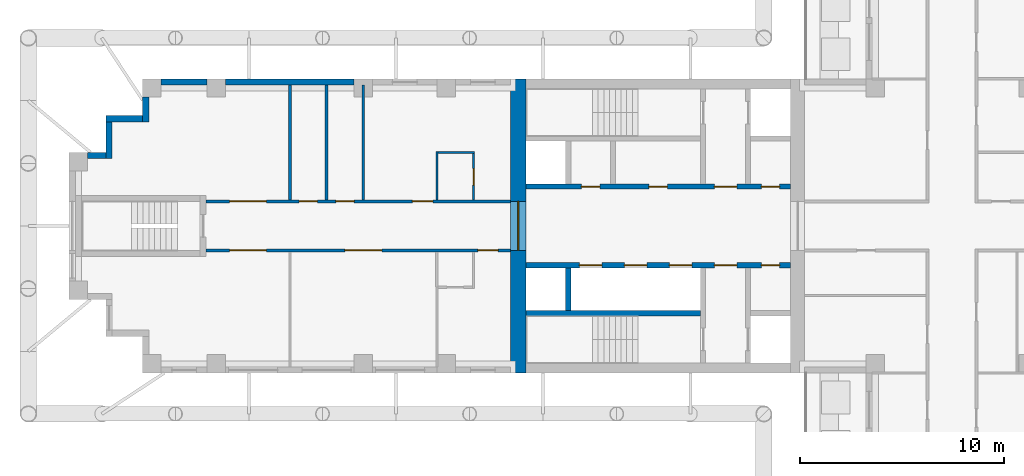
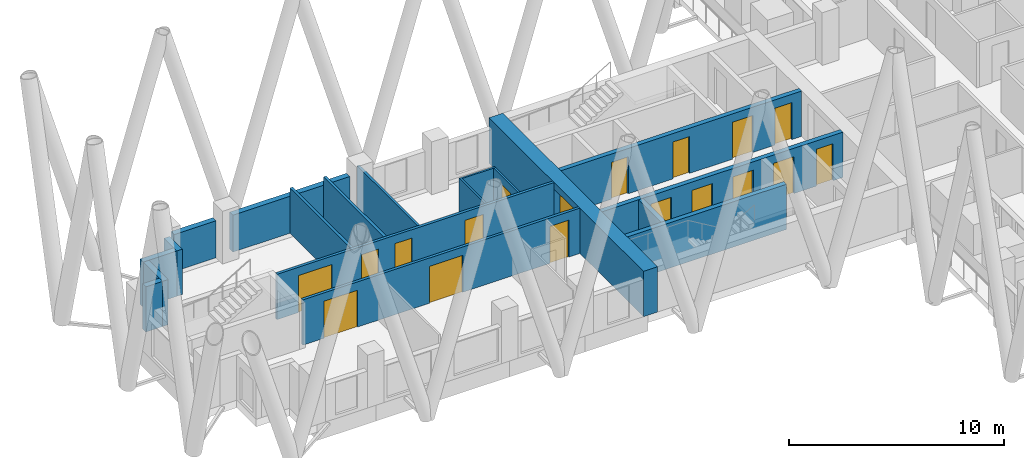
# One storey, part 6 of 14: 19 walls, 18 doors, 18 openings.
"""IFC4 building model written with IfcOpenShell, lengths in metres."""

from ifc_helpers import new_model, si_unit, direction, frame, frame_2d, origin, place, context, subcontext, project, spatial, rectangle, extrude, material, layer, layer_set, type_object, element, fill, save


model = new_model("IFC4")

# Units and contexts
model_context = context("Model", 3, precision=1e-05, world=origin(), true_north=direction((0.0, 1.0)))
body_context = subcontext(model_context, "Body", "Model", "MODEL_VIEW")
ifc_project = project(units=[si_unit("LENGTHUNIT", "METRE"), si_unit("AREAUNIT", "SQUARE_METRE"), si_unit("VOLUMEUNIT", "CUBIC_METRE"), si_unit("PLANEANGLEUNIT", "RADIAN"), si_unit("MASSUNIT", "GRAM", prefix="KILO")], contexts=[model_context])

# Site, building, storey
site_placement = place(None, origin())
site = spatial("IfcSite", under=ifc_project, at=site_placement, CompositionType="ELEMENT")
building_placement = place(site_placement, origin())
building = spatial("IfcBuilding", under=site, at=building_placement, Name="Fustian Cross Tower", CompositionType="ELEMENT")
storey_placement = place(building_placement, frame((0.0, 0.0, 90.89990234375)))
storey = spatial("IfcBuildingStorey", under=building, at=storey_placement, Name="L28", CompositionType="ELEMENT", Elevation=90.89990234375)

# Wall, openings, doors
ifc_material_1 = material(Name="Plasterboard on steel stud", Category="steel")
ifc_layer_1 = layer(ifc_material_1, 0.14990234375)
ifc_layer_set_1 = layer_set([ifc_layer_1], Name="Plasterboard on steel stud")
wall_type_1 = type_object("IfcWallType", Name="COMPARTMENT WALL 150 EI 60", PredefinedType="PARTITIONING", material=ifc_layer_set_1)
wall_1_placement = place(storey_placement, frame((-36.5, -1.199951171875, 0.0), z_axis=(0.0, 0.0, 1.0), x_axis=(1.0, 0.0, 0.0)))
wall_1 = element("IfcWall", 1, at=wall_1_placement, inside=storey, type_object=wall_type_1, Name="Partition 1", PredefinedType="PARTITIONING", context=body_context, shape_type="SweptSolid", body=[
    extrude(rectangle(XDim=14.89990234375, YDim=0.14990234375, at=frame_2d((7.449951171875, 0.0))), origin(), (0.0, 0.0, 1.0), 2.5751953125),
])
opening_1_placement = place(wall_1_placement, frame((13.300048828125, 0.0, 0.0)))
opening_1 = element("IfcOpeningElement", 2, at=opening_1_placement, cuts=wall_1, Name="Opening D13024", PredefinedType="OPENING", context=body_context, shape_type="SweptSolid", body=[
    extrude(rectangle(XDim=1.0, YDim=2.10009765625, at=frame_2d((0.5, 1.050048828125))), frame((0.0, 0.0849609375, 0.0), z_axis=(0.0, -1.0, 0.0), x_axis=(1.0, 0.0, 0.0)), (0.0, 0.0, 1.0), 0.169921875),
])
opening_2_placement = place(wall_1_placement, frame((6.800048828125, 0.0, 0.0)))
opening_2 = element("IfcOpeningElement", 3, at=opening_2_placement, cuts=wall_1, Name="Opening D13025", PredefinedType="OPENING", context=body_context, shape_type="SweptSolid", body=[
    extrude(rectangle(XDim=1.800048828125, YDim=2.10009765625, at=frame_2d((0.89990234375, 1.050048828125))), frame((0.0, 0.0849609375, 0.0), z_axis=(0.0, -1.0, 0.0), x_axis=(1.0, 0.0, 0.0)), (0.0, 0.0, 1.0), 0.169921875),
])
opening_3_placement = place(wall_1_placement, frame((1.14990234375, 0.0, 0.0)))
opening_3 = element("IfcOpeningElement", 4, at=opening_3_placement, cuts=wall_1, Name="Opening D13026", PredefinedType="OPENING", context=body_context, shape_type="SweptSolid", body=[
    extrude(rectangle(XDim=1.800048828125, YDim=2.10009765625, at=frame_2d((0.89990234375, 1.050048828125))), frame((0.0, 0.0849609375, 0.0), z_axis=(0.0, -1.0, 0.0), x_axis=(1.0, 0.0, 0.0)), (0.0, 0.0, 1.0), 0.169921875),
])
ifc_material_2 = material(Name="Timber fire door set", Category="wood")
door_type_1 = type_object("IfcDoorType", Name="FIRE DOUBLE DOOR 1800 FD30S", OperationType="DOUBLE_DOOR_DOUBLE_SWING", PredefinedType="DOOR", material=ifc_material_2)
door_1_placement = place(opening_2_placement, origin())
door_1 = element("IfcDoor", 5, at=door_1_placement, inside=storey, type_object=door_type_1, Name="Door D13025", OperationType="DOUBLE_DOOR_DOUBLE_SWING", OverallHeight=2.10009765625, OverallWidth=1.800048828125, PredefinedType="DOOR", context=body_context, shape_type="SweptSolid", body=[
    extrude(rectangle(XDim=1.800048828125, YDim=2.10009765625, at=frame_2d((0.89990234375, 1.050048828125))), frame((0.0, 0.02490234375, 0.0), z_axis=(0.0, -1.0, 0.0), x_axis=(1.0, 0.0, 0.0)), (0.0, 0.0, 1.0), 0.050048828125),
])
fill(opening_2, door_1)
door_2_placement = place(opening_3_placement, origin())
door_2 = element("IfcDoor", 6, at=door_2_placement, inside=storey, type_object=door_type_1, Name="Door D13026", OperationType="DOUBLE_DOOR_DOUBLE_SWING", OverallHeight=2.10009765625, OverallWidth=1.800048828125, PredefinedType="DOOR", context=body_context, shape_type="SweptSolid", body=[
    extrude(rectangle(XDim=1.800048828125, YDim=2.10009765625, at=frame_2d((0.89990234375, 1.050048828125))), frame((0.0, 0.02490234375, 0.0), z_axis=(0.0, -1.0, 0.0), x_axis=(1.0, 0.0, 0.0)), (0.0, 0.0, 1.0), 0.050048828125),
])
fill(opening_3, door_2)
ifc_material_3 = material(Name="Timber fire door set", Category="wood")
door_type_2 = type_object("IfcDoorType", Name="FIRE SWING DOOR 1000 FD30S", OperationType="SINGLE_SWING_LEFT", PredefinedType="DOOR", material=ifc_material_3)
door_3_placement = place(opening_1_placement, frame((1.0, 0.0, 0.0), z_axis=(0.0, 0.0, 1.0), x_axis=(-1.0, 0.0, 0.0)))
door_3 = element("IfcDoor", 7, at=door_3_placement, inside=storey, type_object=door_type_2, Name="Door D13024", OperationType="SINGLE_SWING_RIGHT", OverallHeight=2.10009765625, OverallWidth=1.0, PredefinedType="DOOR", context=body_context, shape_type="SweptSolid", body=[
    extrude(rectangle(XDim=1.0, YDim=2.10009765625, at=frame_2d((0.5, 1.050048828125))), frame((0.0, 0.02490234375, 0.0), z_axis=(0.0, -1.0, 0.0), x_axis=(1.0, 0.0, 0.0)), (0.0, 0.0, 1.0), 0.050048828125),
])
fill(opening_1, door_3)

wall_2_placement = place(storey_placement, frame((-36.5, 1.199951171875, 0.0), z_axis=(0.0, 0.0, 1.0), x_axis=(1.0, 0.0, 0.0)))
wall_2 = element("IfcWall", 8, at=wall_2_placement, inside=storey, type_object=wall_type_1, Name="Partition 2", PredefinedType="PARTITIONING", context=body_context, shape_type="SweptSolid", body=[
    extrude(rectangle(XDim=14.89990234375, YDim=0.14990234375, at=frame_2d((7.449951171875, 0.0))), origin(), (0.0, 0.0, 1.0), 2.5751953125),
])
opening_4_placement = place(wall_2_placement, frame((10.10009765625, 0.0, 0.0)))
opening_4 = element("IfcOpeningElement", 9, at=opening_4_placement, cuts=wall_2, Name="Opening D13028", PredefinedType="OPENING", context=body_context, shape_type="SweptSolid", body=[
    extrude(rectangle(XDim=1.0, YDim=2.10009765625, at=frame_2d((0.5, 1.050048828125))), frame((0.0, 0.0849609375, 0.0), z_axis=(0.0, -1.0, 0.0), x_axis=(1.0, 0.0, 0.0)), (0.0, 0.0, 1.0), 0.169921875),
])
opening_5_placement = place(wall_2_placement, frame((6.35009765625, 0.0, 0.0)))
opening_5 = element("IfcOpeningElement", 10, at=opening_5_placement, cuts=wall_2, Name="Opening D13029", PredefinedType="OPENING", context=body_context, shape_type="SweptSolid", body=[
    extrude(rectangle(XDim=0.89990234375, YDim=2.10009765625, at=frame_2d((0.449951171875, 1.050048828125))), frame((0.0, 0.0849609375, 0.0), z_axis=(0.0, -1.0, 0.0), x_axis=(1.0, 0.0, 0.0)), (0.0, 0.0, 1.0), 0.169921875),
])
opening_6_placement = place(wall_2_placement, frame((4.550048828125, 0.0, 0.0)))
opening_6 = element("IfcOpeningElement", 11, at=opening_6_placement, cuts=wall_2, Name="Opening D13030", PredefinedType="OPENING", context=body_context, shape_type="SweptSolid", body=[
    extrude(rectangle(XDim=0.89990234375, YDim=2.10009765625, at=frame_2d((0.449951171875, 1.050048828125))), frame((0.0, 0.0849609375, 0.0), z_axis=(0.0, -1.0, 0.0), x_axis=(1.0, 0.0, 0.0)), (0.0, 0.0, 1.0), 0.169921875),
])
opening_7_placement = place(wall_2_placement, frame((1.14990234375, 0.0, 0.0)))
opening_7 = element("IfcOpeningElement", 12, at=opening_7_placement, cuts=wall_2, Name="Opening D13031", PredefinedType="OPENING", context=body_context, shape_type="SweptSolid", body=[
    extrude(rectangle(XDim=1.800048828125, YDim=2.10009765625, at=frame_2d((0.89990234375, 1.050048828125))), frame((0.0, 0.0849609375, 0.0), z_axis=(0.0, -1.0, 0.0), x_axis=(1.0, 0.0, 0.0)), (0.0, 0.0, 1.0), 0.169921875),
])
door_4_placement = place(opening_7_placement, frame((1.800048828125, 0.0, 0.0), z_axis=(0.0, 0.0, 1.0), x_axis=(-1.0, 0.0, 0.0)))
door_4 = element("IfcDoor", 13, at=door_4_placement, inside=storey, type_object=door_type_1, Name="Door D13031", OperationType="DOUBLE_DOOR_DOUBLE_SWING", OverallHeight=2.10009765625, OverallWidth=1.800048828125, PredefinedType="DOOR", context=body_context, shape_type="SweptSolid", body=[
    extrude(rectangle(XDim=1.800048828125, YDim=2.10009765625, at=frame_2d((0.89990234375, 1.050048828125))), frame((0.0, 0.02490234375, 0.0), z_axis=(0.0, -1.0, 0.0), x_axis=(1.0, 0.0, 0.0)), (0.0, 0.0, 1.0), 0.050048828125),
])
fill(opening_7, door_4)
door_5_placement = place(opening_4_placement, origin())
door_5 = element("IfcDoor", 14, at=door_5_placement, inside=storey, type_object=door_type_2, Name="Door D13028", OperationType="SINGLE_SWING_RIGHT", OverallHeight=2.10009765625, OverallWidth=1.0, PredefinedType="DOOR", context=body_context, shape_type="SweptSolid", body=[
    extrude(rectangle(XDim=1.0, YDim=2.10009765625, at=frame_2d((0.5, 1.050048828125))), frame((0.0, 0.02490234375, 0.0), z_axis=(0.0, -1.0, 0.0), x_axis=(1.0, 0.0, 0.0)), (0.0, 0.0, 1.0), 0.050048828125),
])
fill(opening_4, door_5)
ifc_material_4 = material(Name="Timber fire door set", Category="wood")
door_type_3 = type_object("IfcDoorType", Name="FIRE SWING DOOR 900 FD30S", OperationType="SINGLE_SWING_LEFT", PredefinedType="DOOR", material=ifc_material_4)
door_6_placement = place(opening_5_placement, origin())
door_6 = element("IfcDoor", 15, at=door_6_placement, inside=storey, type_object=door_type_3, Name="Door D13029", OperationType="SINGLE_SWING_RIGHT", OverallHeight=2.10009765625, OverallWidth=0.89990234375, PredefinedType="DOOR", context=body_context, shape_type="SweptSolid", body=[
    extrude(rectangle(XDim=0.89990234375, YDim=2.10009765625, at=frame_2d((0.449951171875, 1.050048828125))), frame((0.0, 0.02490234375, 0.0), z_axis=(0.0, -1.0, 0.0), x_axis=(1.0, 0.0, 0.0)), (0.0, 0.0, 1.0), 0.050048828125),
])
fill(opening_5, door_6)
door_7_placement = place(opening_6_placement, origin())
door_7 = element("IfcDoor", 16, at=door_7_placement, inside=storey, type_object=door_type_3, Name="Door D13030", OperationType="SINGLE_SWING_RIGHT", OverallHeight=2.10009765625, OverallWidth=0.89990234375, PredefinedType="DOOR", context=body_context, shape_type="SweptSolid", body=[
    extrude(rectangle(XDim=0.89990234375, YDim=2.10009765625, at=frame_2d((0.449951171875, 1.050048828125))), frame((0.0, 0.02490234375, 0.0), z_axis=(0.0, -1.0, 0.0), x_axis=(1.0, 0.0, 0.0)), (0.0, 0.0, 1.0), 0.050048828125),
])
fill(opening_6, door_7)

# Walls
for number, where, z_axis, x_axis, name in (
    (17, (-32.39990234375, 1.27490234375, 0.0), (0.0, 0.0, 1.0), (0.0, 1.0, 0.0), "Partition 4"),
    (18, (-30.60009765625, 1.27490234375, 0.0), (0.0, 0.0, 1.0), (0.0, 1.0, 0.0), "Partition 5"),
):
    element("IfcWall", number, at=place(storey_placement, frame(where, z_axis=z_axis, x_axis=x_axis)), inside=storey, type_object=wall_type_1, Name=name, PredefinedType="PARTITIONING", context=body_context, shape_type="SweptSolid", body=[
        extrude(rectangle(XDim=5.625, YDim=0.14990234375, at=frame_2d((2.8125, 0.0))), origin(), (0.0, 0.0, 1.0), 2.5751953125),
    ])

# Wall, opening, door
ifc_material_5 = material(Name="Concrete C70/85", Category="concrete")
ifc_layer_2 = layer(ifc_material_5, 0.75)
ifc_layer_set_2 = layer_set([ifc_layer_2], Name="Concrete C70/85")
wall_type_2 = type_object("IfcWallType", Name="CORE END WALL 750 C70/85", PredefinedType="SHEAR", material=ifc_layer_set_2)
wall_3_placement = place(storey_placement, frame((-21.22509765625, -7.199951171875, 0.0), z_axis=(0.0, 0.0, 1.0), x_axis=(0.0, 1.0, 0.0)))
wall_3 = element("IfcWall", 19, at=wall_3_placement, inside=storey, type_object=wall_type_2, Name="Core end wall", PredefinedType="SHEAR", context=body_context, shape_type="SweptSolid", body=[
    extrude(rectangle(XDim=14.39990234375, YDim=0.75, at=frame_2d((7.199951171875, 0.0))), origin(), (0.0, 0.0, 1.0), 2.5751953125),
])
opening_8_placement = place(wall_3_placement, frame((6.0, 0.0, 0.0)))
opening_8 = element("IfcOpeningElement", 20, at=opening_8_placement, cuts=wall_3, Name="Opening CD-11-28", PredefinedType="OPENING", context=body_context, shape_type="SweptSolid", body=[
    extrude(rectangle(XDim=2.39990234375, YDim=2.199951171875, at=frame_2d((1.199951171875, 1.10009765625))), frame((0.0, 0.385009765625, 0.0), z_axis=(0.0, -1.0, 0.0), x_axis=(1.0, 0.0, 0.0)), (0.0, 0.0, 1.0), 0.77001953125),
])
ifc_material_6 = material(Name="Steel", Category="steel")
door_type_4 = type_object("IfcDoorType", Name="FIRE DOOR FD30S DOUBLE 2400X2200", OperationType="DOUBLE_DOOR_DOUBLE_SWING", PredefinedType="DOOR", material=ifc_material_6)
door_8_placement = place(opening_8_placement, frame((2.39990234375, 0.0, 0.0), z_axis=(0.0, 0.0, 1.0), x_axis=(-1.0, 0.0, 0.0)))
door_8 = element("IfcDoor", 21, at=door_8_placement, inside=storey, type_object=door_type_4, Name="Core door CD-11-28", OperationType="DOUBLE_DOOR_DOUBLE_SWING", OverallHeight=2.199951171875, OverallWidth=2.39990234375, PredefinedType="DOOR", context=body_context, shape_type="SweptSolid", body=[
    extrude(rectangle(XDim=2.39990234375, YDim=2.199951171875, at=frame_2d((1.199951171875, 1.10009765625))), frame((0.0, 0.02490234375, 0.0), z_axis=(0.0, -1.0, 0.0), x_axis=(1.0, 0.0, 0.0)), (0.0, 0.0, 1.0), 0.050048828125),
])
fill(opening_8, door_8)

# Wall, openings, doors
ifc_material_7 = material(Name="Concrete C50/60", Category="concrete")
ifc_layer_3 = layer(ifc_material_7, 0.25)
ifc_layer_set_3 = layer_set([ifc_layer_3], Name="Concrete C50/60")
wall_type_3 = type_object("IfcWallType", Name="CORE LOBBY WALL 250 C50/60", PredefinedType="SHEAR", material=ifc_layer_set_3)
wall_4_placement = place(storey_placement, frame((-7.89990234375, 1.925048828125, 0.0), z_axis=(0.0, 0.0, 1.0), x_axis=(-1.0, 0.0, 0.0)))
wall_4 = element("IfcWall", 22, at=wall_4_placement, inside=storey, type_object=wall_type_3, Name="Core lobby wall", PredefinedType="SHEAR", context=body_context, shape_type="SweptSolid", body=[
    extrude(rectangle(XDim=12.9501953125, YDim=0.25, at=frame_2d((6.47509765625, 0.0))), origin(), (0.0, 0.0, 1.0), 2.5751953125),
])
opening_9_placement = place(wall_4_placement, frame((0.52490234375, 0.0, 0.0)))
opening_9 = element("IfcOpeningElement", 23, at=opening_9_placement, cuts=wall_4, Name="Opening CD-11-23", PredefinedType="OPENING", context=body_context, shape_type="SweptSolid", body=[
    extrude(rectangle(XDim=0.89990234375, YDim=2.10009765625, at=frame_2d((0.449951171875, 1.050048828125))), frame((0.0, 0.135009765625, 0.0), z_axis=(0.0, -1.0, 0.0), x_axis=(1.0, 0.0, 0.0)), (0.0, 0.0, 1.0), 0.27001953125),
])
opening_10_placement = place(wall_4_placement, frame((2.625, 0.0, 0.0)))
opening_10 = element("IfcOpeningElement", 24, at=opening_10_placement, cuts=wall_4, Name="Opening CD-11-25", PredefinedType="OPENING", context=body_context, shape_type="SweptSolid", body=[
    extrude(rectangle(XDim=1.10009765625, YDim=2.10009765625, at=frame_2d((0.550048828125, 1.050048828125))), frame((0.0, 0.135009765625, 0.0), z_axis=(0.0, -1.0, 0.0), x_axis=(1.0, 0.0, 0.0)), (0.0, 0.0, 1.0), 0.27001953125),
])
opening_11_placement = place(wall_4_placement, frame((6.02490234375, 0.0, 0.0)))
opening_11 = element("IfcOpeningElement", 25, at=opening_11_placement, cuts=wall_4, Name="Opening CD-11-29", PredefinedType="OPENING", context=body_context, shape_type="SweptSolid", body=[
    extrude(rectangle(XDim=0.89990234375, YDim=2.10009765625, at=frame_2d((0.449951171875, 1.050048828125))), frame((0.0, 0.135009765625, 0.0), z_axis=(0.0, -1.0, 0.0), x_axis=(1.0, 0.0, 0.0)), (0.0, 0.0, 1.0), 0.27001953125),
])
opening_12_placement = place(wall_4_placement, frame((9.324951171875, 0.0, 0.0)))
opening_12 = element("IfcOpeningElement", 26, at=opening_12_placement, cuts=wall_4, Name="Opening CD-11-30", PredefinedType="OPENING", context=body_context, shape_type="SweptSolid", body=[
    extrude(rectangle(XDim=0.89990234375, YDim=2.10009765625, at=frame_2d((0.449951171875, 1.050048828125))), frame((0.0, 0.135009765625, 0.0), z_axis=(0.0, -1.0, 0.0), x_axis=(1.0, 0.0, 0.0)), (0.0, 0.0, 1.0), 0.27001953125),
])
ifc_material_8 = material(Name="Steel", Category="steel")
door_type_5 = type_object("IfcDoorType", Name="FIRE DOOR FD30S 900X2100", OperationType="SINGLE_SWING_LEFT", PredefinedType="DOOR", material=ifc_material_8)
door_9_placement = place(opening_11_placement, frame((0.89990234375, 0.0, 0.0), z_axis=(0.0, 0.0, 1.0), x_axis=(-1.0, 0.0, 0.0)))
door_9 = element("IfcDoor", 27, at=door_9_placement, inside=storey, type_object=door_type_5, Name="Core door CD-11-29", OperationType="SINGLE_SWING_LEFT", OverallHeight=2.10009765625, OverallWidth=0.89990234375, PredefinedType="DOOR", context=body_context, shape_type="SweptSolid", body=[
    extrude(rectangle(XDim=0.89990234375, YDim=2.10009765625, at=frame_2d((0.449951171875, 1.050048828125))), frame((0.0, 0.02490234375, 0.0), z_axis=(0.0, -1.0, 0.0), x_axis=(1.0, 0.0, 0.0)), (0.0, 0.0, 1.0), 0.050048828125),
])
fill(opening_11, door_9)
door_10_placement = place(opening_12_placement, frame((0.89990234375, 0.0, 0.0), z_axis=(0.0, 0.0, 1.0), x_axis=(-1.0, 0.0, 0.0)))
door_10 = element("IfcDoor", 28, at=door_10_placement, inside=storey, type_object=door_type_5, Name="Core door CD-11-30", OperationType="SINGLE_SWING_RIGHT", OverallHeight=2.10009765625, OverallWidth=0.89990234375, PredefinedType="DOOR", context=body_context, shape_type="SweptSolid", body=[
    extrude(rectangle(XDim=0.89990234375, YDim=2.10009765625, at=frame_2d((0.449951171875, 1.050048828125))), frame((0.0, 0.02490234375, 0.0), z_axis=(0.0, -1.0, 0.0), x_axis=(1.0, 0.0, 0.0)), (0.0, 0.0, 1.0), 0.050048828125),
])
fill(opening_12, door_10)
ifc_material_9 = material(Name="Steel", Category="steel")
door_type_6 = type_object("IfcDoorType", Name="FIRE DOOR FD60S 1100X2100", OperationType="SINGLE_SWING_LEFT", PredefinedType="DOOR", material=ifc_material_9)
door_11_placement = place(opening_10_placement, frame((1.10009765625, 0.0, 0.0), z_axis=(0.0, 0.0, 1.0), x_axis=(-1.0, 0.0, 0.0)))
door_11 = element("IfcDoor", 29, at=door_11_placement, inside=storey, type_object=door_type_6, Name="Core door CD-11-25", OperationType="SINGLE_SWING_RIGHT", OverallHeight=2.10009765625, OverallWidth=1.10009765625, PredefinedType="DOOR", context=body_context, shape_type="SweptSolid", body=[
    extrude(rectangle(XDim=1.10009765625, YDim=2.10009765625, at=frame_2d((0.550048828125, 1.050048828125))), frame((0.0, 0.02490234375, 0.0), z_axis=(0.0, -1.0, 0.0), x_axis=(1.0, 0.0, 0.0)), (0.0, 0.0, 1.0), 0.050048828125),
])
fill(opening_10, door_11)
ifc_material_10 = material(Name="Steel", Category="steel")
door_type_7 = type_object("IfcDoorType", Name="FIRE DOOR FD60S 900X2100", OperationType="SINGLE_SWING_LEFT", PredefinedType="DOOR", material=ifc_material_10)
door_12_placement = place(opening_9_placement, frame((0.89990234375, 0.0, 0.0), z_axis=(0.0, 0.0, 1.0), x_axis=(-1.0, 0.0, 0.0)))
door_12 = element("IfcDoor", 30, at=door_12_placement, inside=storey, type_object=door_type_7, Name="Core door CD-11-23", OperationType="SINGLE_SWING_RIGHT", OverallHeight=2.10009765625, OverallWidth=0.89990234375, PredefinedType="DOOR", context=body_context, shape_type="SweptSolid", body=[
    extrude(rectangle(XDim=0.89990234375, YDim=2.10009765625, at=frame_2d((0.449951171875, 1.050048828125))), frame((0.0, 0.02490234375, 0.0), z_axis=(0.0, -1.0, 0.0), x_axis=(1.0, 0.0, 0.0)), (0.0, 0.0, 1.0), 0.050048828125),
])
fill(opening_9, door_12)

wall_5_placement = place(storey_placement, frame((-7.89990234375, -1.925048828125, 0.0), z_axis=(0.0, 0.0, 1.0), x_axis=(-1.0, 0.0, 0.0)))
wall_5 = element("IfcWall", 31, at=wall_5_placement, inside=storey, type_object=wall_type_3, Name="Core lobby wall", PredefinedType="SHEAR", context=body_context, shape_type="SweptSolid", body=[
    extrude(rectangle(XDim=12.9501953125, YDim=0.25, at=frame_2d((6.47509765625, 0.0))), origin(), (0.0, 0.0, 1.0), 2.5751953125),
])
opening_13_placement = place(wall_5_placement, frame((4.824951171875, 0.0, 0.0)))
opening_13 = element("IfcOpeningElement", 32, at=opening_13_placement, cuts=wall_5, Name="Opening LD", PredefinedType="OPENING", context=body_context, shape_type="SweptSolid", body=[
    extrude(rectangle(XDim=1.10009765625, YDim=2.10009765625, at=frame_2d((0.550048828125, 1.050048828125))), frame((0.0, 0.135009765625, 0.0), z_axis=(0.0, -1.0, 0.0), x_axis=(1.0, 0.0, 0.0)), (0.0, 0.0, 1.0), 0.27001953125),
])
opening_14_placement = place(wall_5_placement, frame((7.02490234375, 0.0, 0.0)))
opening_14 = element("IfcOpeningElement", 33, at=opening_14_placement, cuts=wall_5, Name="Opening LD", PredefinedType="OPENING", context=body_context, shape_type="SweptSolid", body=[
    extrude(rectangle(XDim=1.10009765625, YDim=2.10009765625, at=frame_2d((0.550048828125, 1.050048828125))), frame((0.0, 0.135009765625, 0.0), z_axis=(0.0, -1.0, 0.0), x_axis=(1.0, 0.0, 0.0)), (0.0, 0.0, 1.0), 0.27001953125),
])
opening_15_placement = place(wall_5_placement, frame((9.22509765625, 0.0, 0.0)))
opening_15 = element("IfcOpeningElement", 34, at=opening_15_placement, cuts=wall_5, Name="Opening LD", PredefinedType="OPENING", context=body_context, shape_type="SweptSolid", body=[
    extrude(rectangle(XDim=1.10009765625, YDim=2.10009765625, at=frame_2d((0.550048828125, 1.050048828125))), frame((0.0, 0.135009765625, 0.0), z_axis=(0.0, -1.0, 0.0), x_axis=(1.0, 0.0, 0.0)), (0.0, 0.0, 1.0), 0.27001953125),
])
opening_16_placement = place(wall_5_placement, frame((0.52490234375, 0.0, 0.0)))
opening_16 = element("IfcOpeningElement", 35, at=opening_16_placement, cuts=wall_5, Name="Opening CD-11-24", PredefinedType="OPENING", context=body_context, shape_type="SweptSolid", body=[
    extrude(rectangle(XDim=0.89990234375, YDim=2.10009765625, at=frame_2d((0.449951171875, 1.050048828125))), frame((0.0, 0.135009765625, 0.0), z_axis=(0.0, -1.0, 0.0), x_axis=(1.0, 0.0, 0.0)), (0.0, 0.0, 1.0), 0.27001953125),
])
opening_17_placement = place(wall_5_placement, frame((2.625, 0.0, 0.0)))
opening_17 = element("IfcOpeningElement", 36, at=opening_17_placement, cuts=wall_5, Name="Opening CD-11-26", PredefinedType="OPENING", context=body_context, shape_type="SweptSolid", body=[
    extrude(rectangle(XDim=1.10009765625, YDim=2.10009765625, at=frame_2d((0.550048828125, 1.050048828125))), frame((0.0, 0.135009765625, 0.0), z_axis=(0.0, -1.0, 0.0), x_axis=(1.0, 0.0, 0.0)), (0.0, 0.0, 1.0), 0.27001953125),
])
ifc_material_11 = material(Name="Steel", Category="steel")
door_type_8 = type_object("IfcDoorType", Name="FIRE DOOR FD30S 1100X2100", OperationType="SINGLE_SWING_LEFT", PredefinedType="DOOR", material=ifc_material_11)
door_13_placement = place(opening_17_placement, frame((1.10009765625, 0.0, 0.0), z_axis=(0.0, 0.0, 1.0), x_axis=(-1.0, 0.0, 0.0)))
door_13 = element("IfcDoor", 37, at=door_13_placement, inside=storey, type_object=door_type_8, Name="Core door CD-11-26", OperationType="SINGLE_SWING_RIGHT", OverallHeight=2.10009765625, OverallWidth=1.10009765625, PredefinedType="DOOR", context=body_context, shape_type="SweptSolid", body=[
    extrude(rectangle(XDim=1.10009765625, YDim=2.10009765625, at=frame_2d((0.550048828125, 1.050048828125))), frame((0.0, 0.02490234375, 0.0), z_axis=(0.0, -1.0, 0.0), x_axis=(1.0, 0.0, 0.0)), (0.0, 0.0, 1.0), 0.050048828125),
])
fill(opening_17, door_13)
door_14_placement = place(opening_16_placement, origin())
door_14 = element("IfcDoor", 38, at=door_14_placement, inside=storey, type_object=door_type_5, Name="Core door CD-11-24", OperationType="SINGLE_SWING_LEFT", OverallHeight=2.10009765625, OverallWidth=0.89990234375, PredefinedType="DOOR", context=body_context, shape_type="SweptSolid", body=[
    extrude(rectangle(XDim=0.89990234375, YDim=2.10009765625, at=frame_2d((0.449951171875, 1.050048828125))), frame((0.0, 0.02490234375, 0.0), z_axis=(0.0, -1.0, 0.0), x_axis=(1.0, 0.0, 0.0)), (0.0, 0.0, 1.0), 0.050048828125),
])
fill(opening_16, door_14)
ifc_material_12 = material(Name="Stainless steel", Category="steel")
door_type_9 = type_object("IfcDoorType", Name="LIFT LANDING DOOR 1100X2100", OperationType="SLIDING_TO_LEFT", PredefinedType="DOOR", material=ifc_material_12)
door_15_placement = place(opening_13_placement, origin())
door_15 = element("IfcDoor", 39, at=door_15_placement, inside=storey, type_object=door_type_9, Name="Landing door LR1W", OperationType="SLIDING_TO_LEFT", OverallHeight=2.10009765625, OverallWidth=1.10009765625, PredefinedType="DOOR", context=body_context, shape_type="SweptSolid", body=[
    extrude(rectangle(XDim=1.10009765625, YDim=2.10009765625, at=frame_2d((0.550048828125, 1.050048828125))), frame((0.0, 0.02490234375, 0.0), z_axis=(0.0, -1.0, 0.0), x_axis=(1.0, 0.0, 0.0)), (0.0, 0.0, 1.0), 0.050048828125),
])
fill(opening_13, door_15)
door_16_placement = place(opening_14_placement, origin())
door_16 = element("IfcDoor", 40, at=door_16_placement, inside=storey, type_object=door_type_9, Name="Landing door LR2W", OperationType="SLIDING_TO_LEFT", OverallHeight=2.10009765625, OverallWidth=1.10009765625, PredefinedType="DOOR", context=body_context, shape_type="SweptSolid", body=[
    extrude(rectangle(XDim=1.10009765625, YDim=2.10009765625, at=frame_2d((0.550048828125, 1.050048828125))), frame((0.0, 0.02490234375, 0.0), z_axis=(0.0, -1.0, 0.0), x_axis=(1.0, 0.0, 0.0)), (0.0, 0.0, 1.0), 0.050048828125),
])
fill(opening_14, door_16)
door_17_placement = place(opening_15_placement, origin())
door_17 = element("IfcDoor", 41, at=door_17_placement, inside=storey, type_object=door_type_9, Name="Landing door LR3W", OperationType="SLIDING_TO_LEFT", OverallHeight=2.10009765625, OverallWidth=1.10009765625, PredefinedType="DOOR", context=body_context, shape_type="SweptSolid", body=[
    extrude(rectangle(XDim=1.10009765625, YDim=2.10009765625, at=frame_2d((0.550048828125, 1.050048828125))), frame((0.0, 0.02490234375, 0.0), z_axis=(0.0, -1.0, 0.0), x_axis=(1.0, 0.0, 0.0)), (0.0, 0.0, 1.0), 0.050048828125),
])
fill(opening_15, door_17)

# Walls
ifc_material_13 = material(Name="Concrete C50/60", Category="concrete")
ifc_layer_4 = layer(ifc_material_13, 0.25)
ifc_layer_set_4 = layer_set([ifc_layer_4], Name="Concrete C50/60")
wall_type_4 = type_object("IfcWallType", Name="CORE SHAFT WALL 250 C50/60", PredefinedType="SHEAR", material=ifc_layer_set_4)
wall_6_placement = place(storey_placement, frame((-12.300048828125, -4.27490234375, 0.0), z_axis=(0.0, 0.0, 1.0), x_axis=(-1.0, 0.0, 0.0)))
element("IfcWall", 42, at=wall_6_placement, inside=storey, type_object=wall_type_4, Name="Core shaft wall", PredefinedType="SHEAR", context=body_context, shape_type="SweptSolid", body=[
    extrude(rectangle(XDim=8.550048828125, YDim=0.25, at=frame_2d((4.27490234375, 0.0))), origin(), (0.0, 0.0, 1.0), 2.5751953125),
])
ifc_material_14 = material(Name="Plasterboard on steel stud", Category="steel")
ifc_layer_5 = layer(ifc_material_14, 0.10009765625)
ifc_layer_set_5 = layer_set([ifc_layer_5], Name="Plasterboard on steel stud")
wall_type_5 = type_object("IfcWallType", Name="PARTITION 100 STUD", PredefinedType="PARTITIONING", material=ifc_layer_set_5)
wall_7_placement = place(storey_placement, frame((-25.199951171875, 1.27490234375, 0.0), z_axis=(0.0, 0.0, 1.0), x_axis=(0.0, 1.0, 0.0)))
element("IfcWall", 43, at=wall_7_placement, inside=storey, type_object=wall_type_5, Name="Partition 10", PredefinedType="PARTITIONING", context=body_context, shape_type="SweptSolid", body=[
    extrude(rectangle(XDim=2.375, YDim=0.10009765625, at=frame_2d((1.1875, 0.0))), origin(), (0.0, 0.0, 1.0), 2.5751953125),
])
wall_8_placement = place(storey_placement, frame((-25.14990234375, 3.60009765625, 0.0), z_axis=(0.0, 0.0, 1.0), x_axis=(1.0, 0.0, 0.0)))
element("IfcWall", 44, at=wall_8_placement, inside=storey, type_object=wall_type_5, Name="Partition 11", PredefinedType="PARTITIONING", context=body_context, shape_type="SweptSolid", body=[
    extrude(rectangle(XDim=1.7998046875, YDim=0.10009765625, at=frame_2d((0.89990234375, 0.0))), origin(), (0.0, 0.0, 1.0), 2.5751953125),
])

# Wall, opening, door
wall_9_placement = place(storey_placement, frame((-23.39990234375, 1.27490234375, 0.0), z_axis=(0.0, 0.0, 1.0), x_axis=(0.0, 1.0, 0.0)))
wall_9 = element("IfcWall", 45, at=wall_9_placement, inside=storey, type_object=wall_type_5, Name="Partition 13", PredefinedType="PARTITIONING", context=body_context, shape_type="SweptSolid", body=[
    extrude(rectangle(XDim=2.275146484375, YDim=0.10009765625, at=frame_2d((1.1376953125, 0.0))), origin(), (0.0, 0.0, 1.0), 2.5751953125),
])
opening_18_placement = place(wall_9_placement, frame((0.72509765625, 0.0, 0.0)))
opening_18 = element("IfcOpeningElement", 46, at=opening_18_placement, cuts=wall_9, Name="Opening D13027", PredefinedType="OPENING", context=body_context, shape_type="SweptSolid", body=[
    extrude(rectangle(XDim=0.800048828125, YDim=2.10009765625, at=frame_2d((0.39990234375, 1.050048828125))), frame((0.0, 0.06005859375, 0.0), z_axis=(0.0, -1.0, 0.0), x_axis=(1.0, 0.0, 0.0)), (0.0, 0.0, 1.0), 0.1201171875),
])
ifc_material_15 = material(Name="Painted timber", Category="wood")
door_type_10 = type_object("IfcDoorType", Name="SWING DOOR 800", OperationType="SINGLE_SWING_LEFT", PredefinedType="DOOR", material=ifc_material_15)
door_18_placement = place(opening_18_placement, origin())
door_18 = element("IfcDoor", 47, at=door_18_placement, inside=storey, type_object=door_type_10, Name="Door D13027", OperationType="SINGLE_SWING_LEFT", OverallHeight=2.10009765625, OverallWidth=0.800048828125, PredefinedType="DOOR", context=body_context, shape_type="SweptSolid", body=[
    extrude(rectangle(XDim=0.800048828125, YDim=2.10009765625, at=frame_2d((0.39990234375, 1.050048828125))), frame((0.0, 0.02490234375, 0.0), z_axis=(0.0, -1.0, 0.0), x_axis=(1.0, 0.0, 0.0)), (0.0, 0.0, 1.0), 0.050048828125),
])
fill(opening_18, door_18)

# Walls
ifc_material_16 = material(Name="Concrete C40/50", Category="concrete")
ifc_layer_6 = layer(ifc_material_16, 0.25)
ifc_layer_set_6 = layer_set([ifc_layer_6], Name="Concrete C40/50")
wall_type_6 = type_object("IfcWallType", Name="SHAFT PARTITION WALL 250 C40/50", PredefinedType="PARTITIONING", material=ifc_layer_set_6)
wall_10_placement = place(storey_placement, frame((-18.77490234375, -2.050048828125, 0.0), z_axis=(0.0, 0.0, 1.0), x_axis=(0.0, -1.0, 0.0)))
element("IfcWall", 48, at=wall_10_placement, inside=storey, type_object=wall_type_6, Name="Core shaft wall", PredefinedType="PARTITIONING", context=body_context, shape_type="SweptSolid", body=[
    extrude(rectangle(XDim=2.099853515625, YDim=0.25, at=frame_2d((1.0498046875, 0.0))), origin(), (0.0, 0.0, 1.0), 2.5751953125),
])
ifc_material_17 = material(Name="Plasterboard on steel stud", Category="steel")
ifc_layer_7 = layer(ifc_material_17, 0.125)
ifc_layer_set_7 = layer_set([ifc_layer_7], Name="Plasterboard on steel stud")
wall_type_7 = type_object("IfcWallType", Name="WET WALL 125 STUD", PredefinedType="PARTITIONING", material=ifc_layer_set_7)
wall_11_placement = place(storey_placement, frame((-28.800048828125, 1.27490234375, 0.0), z_axis=(0.0, 0.0, 1.0), x_axis=(0.0, 1.0, 0.0)))
element("IfcWall", 49, at=wall_11_placement, inside=storey, type_object=wall_type_7, Name="Partition 6", PredefinedType="PARTITIONING", context=body_context, shape_type="SweptSolid", body=[
    extrude(rectangle(XDim=5.625, YDim=0.125, at=frame_2d((2.8125, 0.0))), origin(), (0.0, 0.0, 1.0), 2.5751953125),
])
ifc_material_18 = material(Name="Dark aluminium cladding on insulated backing wall", Category="aluminium")
ifc_layer_8 = layer(ifc_material_18, 0.300048828125)
ifc_layer_set_8 = layer_set([ifc_layer_8], Name="Dark aluminium cladding on insulated backing wall")
wall_type_8 = type_object("IfcWallType", Name="XW1 EXTERNAL WALL 300", PredefinedType="SOLIDWALL", material=ifc_layer_set_8)
wall_12_placement = place(storey_placement, frame((-29.25, 7.050048828125, 0.0), z_axis=(0.0, 0.0, 1.0), x_axis=(-1.0, 0.0, 0.0)))
element("IfcWall", 50, at=wall_12_placement, inside=storey, type_object=wall_type_8, Name="External wall", PredefinedType="SOLIDWALL", context=body_context, shape_type="SweptSolid", body=[
    extrude(rectangle(XDim=6.300048828125, YDim=0.300048828125, at=frame_2d((3.14990234375, 0.0))), origin(), (0.0, 0.0, 1.0), 2.10009765625),
])
wall_13_placement = place(storey_placement, frame((-36.449951171875, 7.050048828125, 0.0), z_axis=(0.0, 0.0, 1.0), x_axis=(-1.0, 0.0, 0.0)))
element("IfcWall", 51, at=wall_13_placement, inside=storey, type_object=wall_type_8, Name="External wall", PredefinedType="SOLIDWALL", context=body_context, shape_type="SweptSolid", body=[
    extrude(rectangle(XDim=2.25, YDim=0.300048828125, at=frame_2d((1.125, 0.0))), origin(), (0.0, 0.0, 1.0), 2.10009765625),
])
wall_14_placement = place(storey_placement, frame((-39.449951171875, 6.300048828125, 0.0), z_axis=(0.0, 0.0, 1.0), x_axis=(0.0, -1.0, 0.0)))
element("IfcWall", 52, at=wall_14_placement, inside=storey, type_object=wall_type_8, Name="External wall", PredefinedType="SOLIDWALL", context=body_context, shape_type="SweptSolid", body=[
    extrude(rectangle(XDim=1.199951171875, YDim=0.300048828125, at=frame_2d((0.60009765625, 0.0))), origin(), (0.0, 0.0, 1.0), 2.5751953125),
])
wall_15_placement = place(storey_placement, frame((-39.60009765625, 5.25, 0.0), z_axis=(0.0, 0.0, 1.0), x_axis=(-1.0, 0.0, 0.0)))
element("IfcWall", 53, at=wall_15_placement, inside=storey, type_object=wall_type_8, Name="External wall", PredefinedType="SOLIDWALL", context=body_context, shape_type="SweptSolid", body=[
    extrude(rectangle(XDim=1.7998046875, YDim=0.300048828125, at=frame_2d((0.89990234375, 0.0))), origin(), (0.0, 0.0, 1.0), 2.5751953125),
])
wall_16_placement = place(storey_placement, frame((-41.25, 5.10009765625, 0.0), z_axis=(0.0, 0.0, 1.0), x_axis=(0.0, -1.0, 0.0)))
element("IfcWall", 54, at=wall_16_placement, inside=storey, type_object=wall_type_8, Name="External wall", PredefinedType="SOLIDWALL", context=body_context, shape_type="SweptSolid", body=[
    extrude(rectangle(XDim=1.800048828125, YDim=0.300048828125, at=frame_2d((0.89990234375, 0.0))), origin(), (0.0, 0.0, 1.0), 2.5751953125),
])
wall_17_placement = place(storey_placement, frame((-41.39990234375, 3.449951171875, 0.0), z_axis=(0.0, 0.0, 1.0), x_axis=(-1.0, 0.0, 0.0)))
element("IfcWall", 55, at=wall_17_placement, inside=storey, type_object=wall_type_8, Name="External wall", PredefinedType="SOLIDWALL", context=body_context, shape_type="SweptSolid", body=[
    extrude(rectangle(XDim=0.900146484375, YDim=0.300048828125, at=frame_2d((0.4501953125, 0.0))), origin(), (0.0, 0.0, 1.0), 2.5751953125),
])

save(model, "model.ifc")
